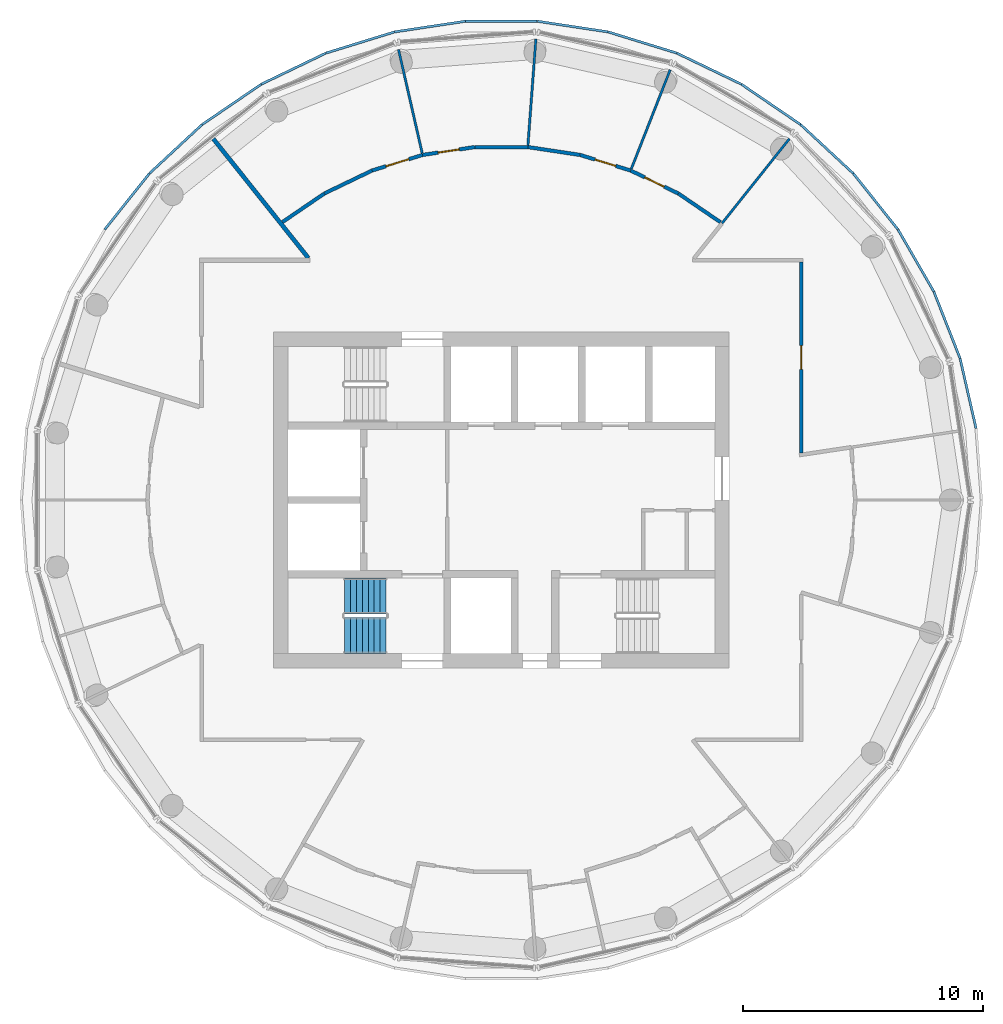
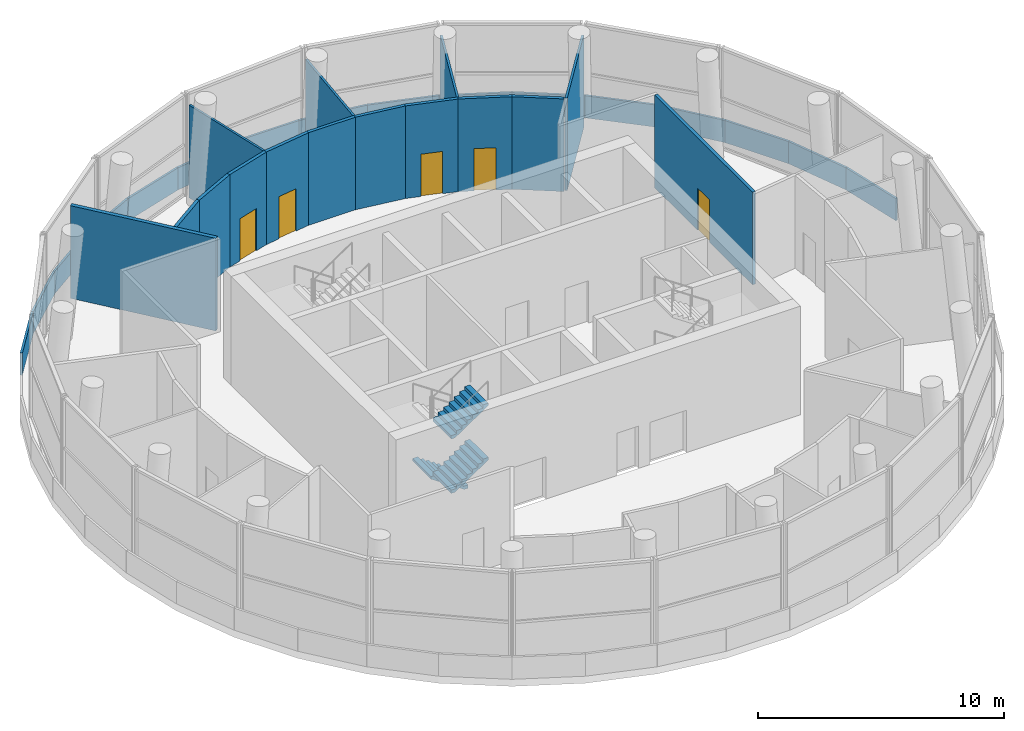
# One storey, part 7 of 11: 31 walls, 5 doors, 3 stair flights, 5 openings, 1 element without a shape of its own.
"""IFC4 building model written with IfcOpenShell, lengths in metres."""

from ifc_helpers import new_model, si_unit, direction, frame, frame_2d, origin, place, context, subcontext, project, spatial, polyline, rectangle, outline, extrude, material, layer, layer_set, type_object, element, fill, aggregate, save


model = new_model("IFC4")

# Units and contexts
model_context = context("Model", 3, precision=1e-05, world=origin(), true_north=direction((0.0, 1.0)))
body_context = subcontext(model_context, "Body", "Model", "MODEL_VIEW")
ifc_project = project(units=[si_unit("LENGTHUNIT", "METRE"), si_unit("AREAUNIT", "SQUARE_METRE"), si_unit("VOLUMEUNIT", "CUBIC_METRE"), si_unit("PLANEANGLEUNIT", "RADIAN"), si_unit("MASSUNIT", "GRAM", prefix="KILO")], contexts=[model_context])

# Site, building, storey
site_placement = place(None, origin())
site = spatial("IfcSite", under=ifc_project, at=site_placement, CompositionType="ELEMENT")
building_placement = place(site_placement, origin())
building = spatial("IfcBuilding", under=site, at=building_placement, Name="Tracery Tower", CompositionType="ELEMENT")
storey_placement = place(building_placement, frame((0.0, 0.0, 330.60009765625)))
storey = spatial("IfcBuildingStorey", under=building, at=storey_placement, Name="L86", CompositionType="ELEMENT", Elevation=330.60009765625)

# Walls
ifc_material_1 = material(Name="Plasterboard on steel studs", Category="steel")
ifc_layer_1 = layer(ifc_material_1, 0.175048828125)
ifc_layer_set_1 = layer_set([ifc_layer_1], Name="Compartment partition 175")
wall_type_1 = type_object("IfcWallType", Name="Compartment partition 175", PredefinedType="PARTITIONING", material=ifc_layer_set_1)
wall_1_placement = place(storey_placement, frame((-12.015380859375, 15.06689453125, 0.0), z_axis=(0.0, 0.0, 1.0), x_axis=(0.623483540054, -0.78183647605, 0.0)))
element("IfcWall", 1, at=wall_1_placement, inside=storey, type_object=wall_type_1, Name="Compartment partition 175", PredefinedType="PARTITIONING", context=body_context, shape_type="SweptSolid", body=[
    extrude(rectangle(XDim=6.368896484375, YDim=0.175048828125, at=frame_2d((3.1845703125, 0.0))), origin(), (0.0, 0.0, 1.0), 4.599853515625),
])
ifc_material_2 = material(Name="Plasterboard on steel studs", Category="steel")
ifc_layer_2 = layer(ifc_material_2, 0.14990234375)
ifc_layer_set_2 = layer_set([ifc_layer_2], Name="Corridor partition 150")
wall_type_2 = type_object("IfcWallType", Name="Corridor partition 150", PredefinedType="PARTITIONING", material=ifc_layer_set_2)
wall_2_placement = place(storey_placement, frame((-7.37939453125, 12.781494140625, 0.0), z_axis=(0.0, 0.0, 1.0), x_axis=(-0.826234667901, -0.563326081021, 0.0)))
element("IfcWall", 2, at=wall_2_placement, inside=storey, type_object=wall_type_2, Name="Corridor partition 150", PredefinedType="PARTITIONING", context=body_context, shape_type="SweptSolid", body=[
    extrude(rectangle(XDim=2.115478515625, YDim=0.14990234375, at=frame_2d((1.0576171875, 0.0))), origin(), (0.0, 0.0, 1.0), 4.599853515625),
])
wall_3_placement = place(storey_placement, frame((-5.39208984375, 13.738525390625, 0.0), z_axis=(0.0, 0.0, 1.0), x_axis=(-0.900969620642, -0.433882176034, 0.0)))
element("IfcWall", 3, at=wall_3_placement, inside=storey, type_object=wall_type_2, Name="Corridor partition 150", PredefinedType="PARTITIONING", context=body_context, shape_type="SweptSolid", body=[
    extrude(rectangle(XDim=2.205810546875, YDim=0.14990234375, at=frame_2d((1.10302734375, 0.0))), origin(), (0.0, 0.0, 1.0), 4.599853515625),
])

# Wall, opening, door
wall_4_placement = place(storey_placement, frame((-5.39208984375, 13.738525390625, 0.0), z_axis=(0.0, 0.0, 1.0), x_axis=(0.955580171442, 0.294731294481, 0.0)))
wall_4 = element("IfcWall", 4, at=wall_4_placement, inside=storey, type_object=wall_type_2, Name="Corridor partition 150", PredefinedType="PARTITIONING", context=body_context, shape_type="SweptSolid", body=[
    extrude(rectangle(XDim=2.205810546875, YDim=0.14990234375, at=frame_2d((1.10302734375, 0.0))), origin(), (0.0, 0.0, 1.0), 4.599853515625),
])
opening_1_placement = place(wall_4_placement, frame((0.60302734375, 0.0, 0.0)))
opening_1 = element("IfcOpeningElement", 5, at=opening_1_placement, cuts=wall_4, Name="Opening SB-L86-05", PredefinedType="OPENING", context=body_context, shape_type="SweptSolid", body=[
    extrude(rectangle(XDim=1.0, YDim=2.10009765625, at=frame_2d((0.5, 1.050048828125))), frame((0.0, 0.074951171875, 0.0), z_axis=(0.0, -1.0, 0.0), x_axis=(1.0, 0.0, 0.0)), (0.0, 0.0, 1.0), 0.14990234375),
])
ifc_material_3 = material(Name="Timber door leaf", Category="wood")
door_type_1 = type_object("IfcDoorType", Name="Public room door 1000", OperationType="NOTDEFINED", PredefinedType="DOOR", material=ifc_material_3)
door_1_placement = place(opening_1_placement, origin())
door_1 = element("IfcDoor", 6, at=door_1_placement, inside=storey, type_object=door_type_1, Name="Public room door 1000", OperationType="SINGLE_SWING_RIGHT", OverallHeight=2.10009765625, OverallWidth=1.0, PredefinedType="DOOR", context=body_context, shape_type="SweptSolid", body=[
    extrude(rectangle(XDim=1.0, YDim=2.10009765625, at=frame_2d((0.5, 1.050048828125))), frame((0.0, 0.02490234375, 0.0), z_axis=(0.0, -1.0, 0.0), x_axis=(1.0, 0.0, 0.0)), (0.0, 0.0, 1.0), 0.050048828125),
])
fill(opening_1, door_1)

wall_5_placement = place(storey_placement, frame((-3.2841796875, 14.388671875, 0.0), z_axis=(0.0, 0.0, 1.0), x_axis=(0.988826496462, 0.14907098945, 0.0)))
wall_5 = element("IfcWall", 7, at=wall_5_placement, inside=storey, type_object=wall_type_2, Name="Corridor partition 150", PredefinedType="PARTITIONING", context=body_context, shape_type="SweptSolid", body=[
    extrude(rectangle(XDim=2.2060546875, YDim=0.14990234375, at=frame_2d((1.10302734375, 0.0))), origin(), (0.0, 0.0, 1.0), 4.599853515625),
])
opening_2_placement = place(wall_5_placement, frame((0.65283203125, 0.0, 0.0)))
opening_2 = element("IfcOpeningElement", 8, at=opening_2_placement, cuts=wall_5, Name="Opening SB-L86-04", PredefinedType="OPENING", context=body_context, shape_type="SweptSolid", body=[
    extrude(rectangle(XDim=0.89990234375, YDim=2.10009765625, at=frame_2d((0.449951171875, 1.050048828125))), frame((0.0, 0.074951171875, 0.0), z_axis=(0.0, -1.0, 0.0), x_axis=(1.0, 0.0, 0.0)), (0.0, 0.0, 1.0), 0.14990234375),
])
ifc_material_4 = material(Name="Timber door leaf", Category="wood")
door_type_2 = type_object("IfcDoorType", Name="Room door 900", OperationType="NOTDEFINED", PredefinedType="DOOR", material=ifc_material_4)
door_2_placement = place(opening_2_placement, origin())
door_2 = element("IfcDoor", 9, at=door_2_placement, inside=storey, type_object=door_type_2, Name="Room door 900", OperationType="SINGLE_SWING_RIGHT", OverallHeight=2.10009765625, OverallWidth=0.89990234375, PredefinedType="DOOR", context=body_context, shape_type="SweptSolid", body=[
    extrude(rectangle(XDim=0.89990234375, YDim=2.10009765625, at=frame_2d((0.449951171875, 1.050048828125))), frame((0.0, 0.02490234375, 0.0), z_axis=(0.0, -1.0, 0.0), x_axis=(1.0, 0.0, 0.0)), (0.0, 0.0, 1.0), 0.050048828125),
])
fill(opening_2, door_2)

# Walls
wall_6_placement = place(storey_placement, frame((1.102783203125, 14.717529296875, 0.0), z_axis=(0.0, 0.0, 1.0), x_axis=(-1.0, 0.0, 0.0)))
element("IfcWall", 10, at=wall_6_placement, inside=storey, type_object=wall_type_2, Name="Corridor partition 150", PredefinedType="PARTITIONING", context=body_context, shape_type="SweptSolid", body=[
    extrude(rectangle(XDim=2.20556640625, YDim=0.14990234375, at=frame_2d((1.102783203125, 0.0))), origin(), (0.0, 0.0, 1.0), 4.599853515625),
])
wall_7_placement = place(storey_placement, frame((3.2841796875, 14.388671875, 0.0), z_axis=(0.0, 0.0, 1.0), x_axis=(-0.988826496462, 0.14907098945, 0.0)))
element("IfcWall", 11, at=wall_7_placement, inside=storey, type_object=wall_type_2, Name="Corridor partition 150", PredefinedType="PARTITIONING", context=body_context, shape_type="SweptSolid", body=[
    extrude(rectangle(XDim=2.2060546875, YDim=0.14990234375, at=frame_2d((1.10302734375, 0.0))), origin(), (0.0, 0.0, 1.0), 4.599853515625),
])

# Wall, opening, door
wall_8_placement = place(storey_placement, frame((3.2841796875, 14.388671875, 0.0), z_axis=(0.0, 0.0, 1.0), x_axis=(0.955580171442, -0.294731294481, 0.0)))
wall_8 = element("IfcWall", 12, at=wall_8_placement, inside=storey, type_object=wall_type_2, Name="Corridor partition 150", PredefinedType="PARTITIONING", context=body_context, shape_type="SweptSolid", body=[
    extrude(rectangle(XDim=2.205810546875, YDim=0.14990234375, at=frame_2d((1.10302734375, 0.0))), origin(), (0.0, 0.0, 1.0), 4.599853515625),
])
opening_3_placement = place(wall_8_placement, frame((0.653076171875, 0.0, 0.0)))
opening_3 = element("IfcOpeningElement", 13, at=opening_3_placement, cuts=wall_8, Name="Opening SB-L86-03", PredefinedType="OPENING", context=body_context, shape_type="SweptSolid", body=[
    extrude(rectangle(XDim=0.89990234375, YDim=2.10009765625, at=frame_2d((0.449951171875, 1.050048828125))), frame((0.0, 0.074951171875, 0.0), z_axis=(0.0, -1.0, 0.0), x_axis=(1.0, 0.0, 0.0)), (0.0, 0.0, 1.0), 0.14990234375),
])
door_3_placement = place(opening_3_placement, origin())
door_3 = element("IfcDoor", 14, at=door_3_placement, inside=storey, type_object=door_type_2, Name="Room door 900", OperationType="SINGLE_SWING_RIGHT", OverallHeight=2.10009765625, OverallWidth=0.89990234375, PredefinedType="DOOR", context=body_context, shape_type="SweptSolid", body=[
    extrude(rectangle(XDim=0.89990234375, YDim=2.10009765625, at=frame_2d((0.449951171875, 1.050048828125))), frame((0.0, 0.02490234375, 0.0), z_axis=(0.0, -1.0, 0.0), x_axis=(1.0, 0.0, 0.0)), (0.0, 0.0, 1.0), 0.050048828125),
])
fill(opening_3, door_3)

wall_9_placement = place(storey_placement, frame((5.39208984375, 13.738525390625, 0.0), z_axis=(0.0, 0.0, 1.0), x_axis=(0.900969620642, -0.433882176034, 0.0)))
wall_9 = element("IfcWall", 15, at=wall_9_placement, inside=storey, type_object=wall_type_2, Name="Corridor partition 150", PredefinedType="PARTITIONING", context=body_context, shape_type="SweptSolid", body=[
    extrude(rectangle(XDim=2.205810546875, YDim=0.14990234375, at=frame_2d((1.10302734375, 0.0))), origin(), (0.0, 0.0, 1.0), 4.599853515625),
])
opening_4_placement = place(wall_9_placement, frame((0.65283203125, 0.0, 0.0)))
opening_4 = element("IfcOpeningElement", 16, at=opening_4_placement, cuts=wall_9, Name="Opening SB-L86-02", PredefinedType="OPENING", context=body_context, shape_type="SweptSolid", body=[
    extrude(rectangle(XDim=0.89990234375, YDim=2.10009765625, at=frame_2d((0.449951171875, 1.050048828125))), frame((0.0, 0.074951171875, 0.0), z_axis=(0.0, -1.0, 0.0), x_axis=(1.0, 0.0, 0.0)), (0.0, 0.0, 1.0), 0.14990234375),
])
door_4_placement = place(opening_4_placement, origin())
door_4 = element("IfcDoor", 17, at=door_4_placement, inside=storey, type_object=door_type_2, Name="Room door 900", OperationType="SINGLE_SWING_RIGHT", OverallHeight=2.10009765625, OverallWidth=0.89990234375, PredefinedType="DOOR", context=body_context, shape_type="SweptSolid", body=[
    extrude(rectangle(XDim=0.89990234375, YDim=2.10009765625, at=frame_2d((0.449951171875, 1.050048828125))), frame((0.0, 0.02490234375, 0.0), z_axis=(0.0, -1.0, 0.0), x_axis=(1.0, 0.0, 0.0)), (0.0, 0.0, 1.0), 0.050048828125),
])
fill(opening_4, door_4)

# Wall
wall_10_placement = place(storey_placement, frame((9.139892578125, 11.581298828125, 0.0), z_axis=(0.0, 0.0, 1.0), x_axis=(-0.826258855912, 0.563290602644, 0.0)))
element("IfcWall", 18, at=wall_10_placement, inside=storey, type_object=wall_type_2, Name="Corridor partition 150", PredefinedType="PARTITIONING", context=body_context, shape_type="SweptSolid", body=[
    extrude(rectangle(XDim=2.130615234375, YDim=0.14990234375, at=frame_2d((1.0654296875, 0.0))), origin(), (0.0, 0.0, 1.0), 4.599853515625),
])

# Wall, opening, door
wall_11_placement = place(storey_placement, frame((12.5, 9.925048828125, 0.0), z_axis=(0.0, 0.0, 1.0), x_axis=(0.0, -1.0, 0.0)))
wall_11 = element("IfcWall", 19, at=wall_11_placement, inside=storey, type_object=wall_type_2, Name="Corridor partition 150", PredefinedType="PARTITIONING", context=body_context, shape_type="SweptSolid", body=[
    extrude(rectangle(XDim=7.966064453125, YDim=0.14990234375, at=frame_2d((3.98291015625, 0.0))), origin(), (0.0, 0.0, 1.0), 4.599853515625),
])
opening_5_placement = place(wall_11_placement, frame((3.48291015625, 0.0, 0.0)))
opening_5 = element("IfcOpeningElement", 20, at=opening_5_placement, cuts=wall_11, Name="Opening SB-L86-01", PredefinedType="OPENING", context=body_context, shape_type="SweptSolid", body=[
    extrude(rectangle(XDim=1.0, YDim=2.10009765625, at=frame_2d((0.5, 1.050048828125))), frame((0.0, 0.074951171875, 0.0), z_axis=(0.0, -1.0, 0.0), x_axis=(1.0, 0.0, 0.0)), (0.0, 0.0, 1.0), 0.14990234375),
])
door_5_placement = place(opening_5_placement, origin())
door_5 = element("IfcDoor", 21, at=door_5_placement, inside=storey, type_object=door_type_1, Name="Public room door 1000", OperationType="SINGLE_SWING_RIGHT", OverallHeight=2.10009765625, OverallWidth=1.0, PredefinedType="DOOR", context=body_context, shape_type="SweptSolid", body=[
    extrude(rectangle(XDim=1.0, YDim=2.10009765625, at=frame_2d((0.5, 1.050048828125))), frame((0.0, 0.02490234375, 0.0), z_axis=(0.0, -1.0, 0.0), x_axis=(1.0, 0.0, 0.0)), (0.0, 0.0, 1.0), 0.050048828125),
])
fill(opening_5, door_5)

# Walls
ifc_material_5 = material(Name="Tinted laminated glass", Category="glass")
ifc_layer_3 = layer(ifc_material_5, 0.10009765625)
ifc_layer_set_3 = layer_set([ifc_layer_3], Name="Crown ledge glass parapet 100")
wall_type_3 = type_object("IfcWallType", Name="Crown ledge glass parapet 100", PredefinedType="PARAPET", material=ifc_layer_set_3)
wall_12_placement = place(storey_placement, frame((19.79736328125, 2.98876953125, 0.0), z_axis=(0.0, 0.0, 1.0), x_axis=(-0.22253367096, 0.974925004956, 0.0)))
element("IfcWall", 22, at=wall_12_placement, inside=storey, type_object=wall_type_3, Name="Crown ledge glass parapet L86 2", PredefinedType="PARAPET", context=body_context, shape_type="SweptSolid", body=[
    extrude(rectangle(XDim=2.98291015625, YDim=0.10009765625, at=frame_2d((1.491455078125, 0.0))), origin(), (0.0, 0.0, 1.0), 1.099853515625),
])
wall_13_placement = place(storey_placement, frame((19.130859375, 5.906005859375, 0.0), z_axis=(0.0, 0.0, 1.0), x_axis=(-0.365343432016, 0.930872803708, 0.0)))
element("IfcWall", 23, at=wall_13_placement, inside=storey, type_object=wall_type_3, Name="Crown ledge glass parapet L86 3", PredefinedType="PARAPET", context=body_context, shape_type="SweptSolid", body=[
    extrude(rectangle(XDim=2.983154296875, YDim=0.10009765625, at=frame_2d((1.49169921875, 0.0))), origin(), (0.0, 0.0, 1.0), 1.099853515625),
])
wall_14_placement = place(storey_placement, frame((18.036865234375, 8.69140625, 0.0), z_axis=(0.0, 0.0, 1.0), x_axis=(-0.500003486784, 0.866023390679, 0.0)))
element("IfcWall", 24, at=wall_14_placement, inside=storey, type_object=wall_type_3, Name="Crown ledge glass parapet L86 4", PredefinedType="PARAPET", context=body_context, shape_type="SweptSolid", body=[
    extrude(rectangle(XDim=2.98291015625, YDim=0.10009765625, at=frame_2d((1.491455078125, 0.0))), origin(), (0.0, 0.0, 1.0), 1.099853515625),
])
wall_15_placement = place(storey_placement, frame((16.5400390625, 11.282470703125, 0.0), z_axis=(0.0, 0.0, 1.0), x_axis=(-0.62347663043, 0.781841986151, 0.0)))
element("IfcWall", 25, at=wall_15_placement, inside=storey, type_object=wall_type_3, Name="Crown ledge glass parapet L86 5", PredefinedType="PARAPET", context=body_context, shape_type="SweptSolid", body=[
    extrude(rectangle(XDim=2.983154296875, YDim=0.10009765625, at=frame_2d((1.49169921875, 0.0))), origin(), (0.0, 0.0, 1.0), 1.099853515625),
])
for number, where, z_axis, x_axis, name in (
    (26, (14.673583984375, 13.62158203125, 0.0), (0.0, 0.0, 1.0), (-0.733009168405, 0.68021875822, 0.0), "Crown ledge glass parapet L86 6"),
    (27, (12.4794921875, 15.656494140625, 0.0), (0.0, 0.0, 1.0), (-0.826225611244, 0.563339364259, 0.0), "Crown ledge glass parapet L86 7"),
):
    element("IfcWall", number, at=place(storey_placement, frame(where, z_axis=z_axis, x_axis=x_axis)), inside=storey, type_object=wall_type_3, Name=name, PredefinedType="PARAPET", context=body_context, shape_type="SweptSolid", body=[
        extrude(rectangle(XDim=2.98291015625, YDim=0.10009765625, at=frame_2d((1.491455078125, 0.0))), origin(), (0.0, 0.0, 1.0), 1.099853515625),
    ])
wall_16_placement = place(storey_placement, frame((10.0068359375, 17.341796875, 0.0), z_axis=(0.0, 0.0, 1.0), x_axis=(-0.900989821587, 0.433840225655, 0.0)))
element("IfcWall", 28, at=wall_16_placement, inside=storey, type_object=wall_type_3, Name="Crown ledge glass parapet L86 8", PredefinedType="PARAPET", context=body_context, shape_type="SweptSolid", body=[
    extrude(rectangle(XDim=2.983154296875, YDim=0.10009765625, at=frame_2d((1.49169921875, 0.0))), origin(), (0.0, 0.0, 1.0), 1.099853515625),
])
for number, where, z_axis, x_axis, name in (
    (29, (7.310302734375, 18.639404296875, 0.0), (0.0, 0.0, 1.0), (-0.955555758085, 0.294810436028, 0.0), "Crown ledge glass parapet L86 9"),
    (30, (4.45068359375, 19.520751953125, 0.0), (0.0, 0.0, 1.0), (-0.988831652332, 0.149036785209, 0.0), "Crown ledge glass parapet L86 10"),
    (31, (1.491455078125, 19.966064453125, 0.0), (0.0, 0.0, 1.0), (-1.0, 0.0, 0.0), "Crown ledge glass parapet L86 11"),
    (32, (-1.5009765625, 19.96533203125, 0.0), (0.0, 0.0, 1.0), (-0.988831652332, -0.149036785209, 0.0), "Crown ledge glass parapet L86 12"),
    (33, (-4.4599609375, 19.518798828125, 0.0), (0.0, 0.0, 1.0), (-0.955555758085, -0.294810436028, 0.0), "Crown ledge glass parapet L86 13"),
):
    element("IfcWall", number, at=place(storey_placement, frame(where, z_axis=z_axis, x_axis=x_axis)), inside=storey, type_object=wall_type_3, Name=name, PredefinedType="PARAPET", context=body_context, shape_type="SweptSolid", body=[
        extrude(rectangle(XDim=2.98291015625, YDim=0.10009765625, at=frame_2d((1.491455078125, 0.0))), origin(), (0.0, 0.0, 1.0), 1.099853515625),
    ])
wall_17_placement = place(storey_placement, frame((-7.319091796875, 18.635986328125, 0.0), z_axis=(0.0, 0.0, 1.0), x_axis=(-0.900989821587, -0.433840225655, 0.0)))
element("IfcWall", 34, at=wall_17_placement, inside=storey, type_object=wall_type_3, Name="Crown ledge glass parapet L86 14", PredefinedType="PARAPET", context=body_context, shape_type="SweptSolid", body=[
    extrude(rectangle(XDim=2.983154296875, YDim=0.10009765625, at=frame_2d((1.49169921875, 0.0))), origin(), (0.0, 0.0, 1.0), 1.099853515625),
])
for number, where, z_axis, x_axis, name in (
    (35, (-10.014892578125, 17.3369140625, 0.0), (0.0, 0.0, 1.0), (-0.826225611244, -0.563339364259, 0.0), "Crown ledge glass parapet L86 15"),
    (36, (-12.487060546875, 15.650634765625, 0.0), (0.0, 0.0, 1.0), (-0.733009168405, -0.68021875822, 0.0), "Crown ledge glass parapet L86 16"),
):
    element("IfcWall", number, at=place(storey_placement, frame(where, z_axis=z_axis, x_axis=x_axis)), inside=storey, type_object=wall_type_3, Name=name, PredefinedType="PARAPET", context=body_context, shape_type="SweptSolid", body=[
        extrude(rectangle(XDim=2.98291015625, YDim=0.10009765625, at=frame_2d((1.491455078125, 0.0))), origin(), (0.0, 0.0, 1.0), 1.099853515625),
    ])
wall_18_placement = place(storey_placement, frame((-14.68017578125, 13.61474609375, 0.0), z_axis=(0.0, 0.0, 1.0), x_axis=(-0.62347663043, -0.781841986151, 0.0)))
element("IfcWall", 37, at=wall_18_placement, inside=storey, type_object=wall_type_3, Name="Crown ledge glass parapet L86 17", PredefinedType="PARAPET", context=body_context, shape_type="SweptSolid", body=[
    extrude(rectangle(XDim=2.983154296875, YDim=0.10009765625, at=frame_2d((1.49169921875, 0.0))), origin(), (0.0, 0.0, 1.0), 1.099853515625),
])
ifc_material_6 = material(Name="Plasterboard on steel studs", Category="steel")
ifc_layer_4 = layer(ifc_material_6, 0.10009765625)
ifc_layer_set_4 = layer_set([ifc_layer_4], Name="Stud partition 100")
wall_type_4 = type_object("IfcWallType", Name="Stud partition 100", PredefinedType="PARTITIONING", material=ifc_layer_set_4)
for number, where, z_axis, x_axis, name in (
    (38, (-4.288330078125, 18.7880859375, 0.0), (0.0, 0.0, 1.0), (0.222548421308, -0.974921637966, 0.0), "Stud partition 100"),
    (39, (1.440185546875, 19.217529296875, 0.0), (0.0, 0.0, 1.0), (-0.074769431889, -0.997200848403, 0.0), "Stud partition 100"),
):
    element("IfcWall", number, at=place(storey_placement, frame(where, z_axis=z_axis, x_axis=x_axis)), inside=storey, type_object=wall_type_4, Name=name, PredefinedType="PARTITIONING", context=body_context, shape_type="SweptSolid", body=[
        extrude(rectangle(XDim=4.4375, YDim=0.10009765625, at=frame_2d((2.21875, 0.0))), origin(), (0.0, 0.0, 1.0), 4.599853515625),
    ])
wall_19_placement = place(storey_placement, frame((7.04052734375, 17.939208984375, 0.0), z_axis=(0.0, 0.0, 1.0), x_axis=(-0.365330622286, -0.930877831093, 0.0)))
element("IfcWall", 40, at=wall_19_placement, inside=storey, type_object=wall_type_4, Name="Stud partition 100", PredefinedType="PARTITIONING", context=body_context, shape_type="SweptSolid", body=[
    extrude(rectangle(XDim=4.437255859375, YDim=0.10009765625, at=frame_2d((2.21875, 0.0))), origin(), (0.0, 0.0, 1.0), 4.599853515625),
])
wall_20_placement = place(storey_placement, frame((12.015380859375, 15.06689453125, 0.0), z_axis=(0.0, 0.0, 1.0), x_axis=(-0.623480279292, -0.781839076367, 0.0)))
element("IfcWall", 41, at=wall_20_placement, inside=storey, type_object=wall_type_4, Name="Stud partition 100", PredefinedType="PARTITIONING", context=body_context, shape_type="SweptSolid", body=[
    extrude(rectangle(XDim=4.512451171875, YDim=0.10009765625, at=frame_2d((2.25634765625, 0.0))), origin(), (0.0, 0.0, 1.0), 4.599853515625),
])

# Stair, stair flights
ifc_material_7 = material(Name="Concrete C32/40", Category="concrete")
stair_type = type_object("IfcStairType", Name="Core stair 32 risers", PredefinedType="HALF_TURN_STAIR", material=ifc_material_7)
stair_placement = place(storey_placement, origin())
stair = element("IfcStair", 42, at=stair_placement, inside=storey, type_object=stair_type, Name="L86 stair ST1", PredefinedType="HALF_TURN_STAIR")
ifc_material_8 = material(Name="Concrete C32/40", Category="concrete")
stair_flight_type = type_object("IfcStairFlightType", Name="Core stair flight 8 risers", PredefinedType="STRAIGHT", material=ifc_material_8)
stair_flight_1_placement = place(storey_placement, frame((-4.800048828125, -4.0, 0.0), z_axis=(0.0, 0.0, 1.0), x_axis=(-1.0, 0.0, 0.0)))
stair_flight_1 = element("IfcStairFlight", 43, at=stair_flight_1_placement, type_object=stair_flight_type, Name="ST1 flight 1", NumberOfRisers=8, NumberOfTreads=7, PredefinedType="STRAIGHT", RiserHeight=0.16875, TreadLength=0.25, context=body_context, shape_type="SweptSolid", body=[
    extrude(outline(polyline([(0.0, 0.0), (0.0, 0.002685546875), (0.0, 0.005615234375), (0.0, 0.00830078125), (0.0, 0.010986328125), (0.0, 0.013916015625), (0.0, 0.0166015625), (0.0, 0.019287109375), (0.0, 0.022216796875), (0.0, 0.02490234375), (0.0, 0.027587890625), (0.0, 0.030517578125), (0.0, 0.033203125), (0.0, 0.035888671875), (0.0, 0.038818359375), (0.0, 0.04150390625), (0.0, 0.044189453125), (0.0, 0.047119140625), (0.0, 0.0498046875), (0.0, 0.052490234375), (0.0, 0.055419921875), (0.0, 0.05810546875), (0.0, 0.060791015625), (0.0, 0.063720703125), (0.0, 0.06640625), (0.0, 0.069091796875), (0.0, 0.072021484375), (0.0, 0.07470703125), (0.0, 0.077392578125), (0.0, 0.080322265625), (0.0, 0.0830078125), (0.0, 0.085693359375), (0.0, 0.088623046875), (0.0, 0.09130859375), (0.0, 0.093994140625), (0.0, 0.096923828125), (0.0, 0.099609375), (0.0, 0.102294921875), (0.0, 0.105224609375), (0.0, 0.10791015625), (0.0, 0.110595703125), (0.0, 0.113525390625), (0.0, 0.1162109375), (0.0, 0.118896484375), (0.0, 0.121826171875), (0.0, 0.12451171875), (0.0, 0.127197265625), (0.0, 0.130126953125), (0.0, 0.1328125), (0.0, 0.135498046875), (0.0, 0.138427734375), (0.0, 0.14111328125), (0.0, 0.143798828125), (0.0, 0.146728515625), (0.0, 0.1494140625), (0.0, 0.152099609375), (0.0, 0.155029296875), (0.0, 0.15771484375), (0.0, 0.160400390625), (0.0, 0.163330078125), (0.0, 0.166015625), (0.0, 0.168701171875), (0.25, 0.168701171875), (0.25, 0.33740234375), (0.5, 0.33740234375), (0.5, 0.50634765625), (0.75, 0.50634765625), (0.75, 0.675048828125), (1.0, 0.675048828125), (1.0, 0.84375), (1.25, 0.84375), (1.25, 1.012451171875), (1.5, 1.012451171875), (1.5, 1.18115234375), (1.75, 1.18115234375), (1.75, 1.17919921875), (1.75, 1.17724609375), (1.75, 1.17529296875), (1.75, 1.17333984375), (1.75, 1.17138671875), (1.75, 1.16943359375), (1.75, 1.16748046875), (1.75, 1.16552734375), (1.75, 1.163330078125), (1.75, 1.161376953125), (1.75, 1.159423828125), (1.75, 1.157470703125), (1.75, 1.155517578125), (1.75, 1.153564453125), (1.75, 1.151611328125), (1.75, 1.149658203125), (1.75, 1.147705078125), (1.75, 1.1455078125), (1.75, 1.1435546875), (1.75, 1.1416015625), (1.75, 1.1396484375), (1.75, 1.1376953125), (1.75, 1.1357421875), (1.75, 1.1337890625), (1.75, 1.1318359375), (1.75, 1.1298828125), (1.75, 1.127685546875), (1.75, 1.125732421875), (1.75, 1.123779296875), (1.75, 1.121826171875), (1.75, 1.119873046875), (1.75, 1.117919921875), (1.75, 1.115966796875), (1.75, 1.114013671875), (1.75, 1.112060546875), (1.75, 1.10986328125), (1.75, 1.10791015625), (1.75, 1.10595703125), (1.75, 1.10400390625), (1.75, 1.10205078125), (1.75, 1.10009765625), (1.75, 1.09814453125), (1.75, 1.09619140625), (1.75, 1.09423828125), (1.75, 1.092041015625), (1.75, 1.090087890625), (1.75, 1.088134765625), (1.75, 1.086181640625), (1.75, 1.084228515625), (1.75, 1.082275390625), (1.75, 1.080322265625), (1.75, 1.078369140625), (1.75, 1.076416015625), (1.75, 1.074462890625), (1.75, 1.072265625), (1.75, 1.0703125), (1.75, 1.068359375), (1.75, 1.06640625), (1.75, 1.064453125), (1.75, 1.0625), (1.75, 1.060546875), (0.178955078125, 0.0), (0.0, 0.0)])), frame((0.0, 0.75, 0.0), z_axis=(0.0, -1.0, 0.0), x_axis=(1.0, 0.0, 0.0)), (0.0, 0.0, 1.0), 1.5),
])
stair_flight_2_placement = place(storey_placement, frame((-6.550048828125, -5.64990234375, 1.349853515625), z_axis=(0.0, 0.0, 1.0), x_axis=(1.0, 0.0, 0.0)))
stair_flight_2 = element("IfcStairFlight", 44, at=stair_flight_2_placement, type_object=stair_flight_type, Name="ST1 flight 2", NumberOfRisers=8, NumberOfTreads=7, PredefinedType="STRAIGHT", RiserHeight=0.16875, TreadLength=0.25, context=body_context, shape_type="SweptSolid", body=[
    extrude(outline(polyline([(0.0, 0.0), (0.0, 0.002685546875), (0.0, 0.005615234375), (0.0, 0.00830078125), (0.0, 0.010986328125), (0.0, 0.013916015625), (0.0, 0.0166015625), (0.0, 0.019287109375), (0.0, 0.022216796875), (0.0, 0.02490234375), (0.0, 0.027587890625), (0.0, 0.030517578125), (0.0, 0.033203125), (0.0, 0.035888671875), (0.0, 0.038818359375), (0.0, 0.04150390625), (0.0, 0.044189453125), (0.0, 0.047119140625), (0.0, 0.0498046875), (0.0, 0.052490234375), (0.0, 0.055419921875), (0.0, 0.05810546875), (0.0, 0.060791015625), (0.0, 0.063720703125), (0.0, 0.06640625), (0.0, 0.069091796875), (0.0, 0.072021484375), (0.0, 0.07470703125), (0.0, 0.077392578125), (0.0, 0.080322265625), (0.0, 0.0830078125), (0.0, 0.085693359375), (0.0, 0.088623046875), (0.0, 0.09130859375), (0.0, 0.093994140625), (0.0, 0.096923828125), (0.0, 0.099609375), (0.0, 0.102294921875), (0.0, 0.105224609375), (0.0, 0.10791015625), (0.0, 0.110595703125), (0.0, 0.113525390625), (0.0, 0.1162109375), (0.0, 0.118896484375), (0.0, 0.121826171875), (0.0, 0.12451171875), (0.0, 0.127197265625), (0.0, 0.130126953125), (0.0, 0.1328125), (0.0, 0.135498046875), (0.0, 0.138427734375), (0.0, 0.14111328125), (0.0, 0.143798828125), (0.0, 0.146728515625), (0.0, 0.1494140625), (0.0, 0.152099609375), (0.0, 0.155029296875), (0.0, 0.15771484375), (0.0, 0.160400390625), (0.0, 0.163330078125), (0.0, 0.166015625), (0.0, 0.168701171875), (0.25, 0.168701171875), (0.25, 0.33740234375), (0.5, 0.33740234375), (0.5, 0.50634765625), (0.75, 0.50634765625), (0.75, 0.675048828125), (1.0, 0.675048828125), (1.0, 0.84375), (1.25, 0.84375), (1.25, 1.012451171875), (1.5, 1.012451171875), (1.5, 1.18115234375), (1.75, 1.18115234375), (1.75, 1.17919921875), (1.75, 1.17724609375), (1.75, 1.17529296875), (1.75, 1.17333984375), (1.75, 1.17138671875), (1.75, 1.16943359375), (1.75, 1.16748046875), (1.75, 1.16552734375), (1.75, 1.163330078125), (1.75, 1.161376953125), (1.75, 1.159423828125), (1.75, 1.157470703125), (1.75, 1.155517578125), (1.75, 1.153564453125), (1.75, 1.151611328125), (1.75, 1.149658203125), (1.75, 1.147705078125), (1.75, 1.1455078125), (1.75, 1.1435546875), (1.75, 1.1416015625), (1.75, 1.1396484375), (1.75, 1.1376953125), (1.75, 1.1357421875), (1.75, 1.1337890625), (1.75, 1.1318359375), (1.75, 1.1298828125), (1.75, 1.127685546875), (1.75, 1.125732421875), (1.75, 1.123779296875), (1.75, 1.121826171875), (1.75, 1.119873046875), (1.75, 1.117919921875), (1.75, 1.115966796875), (1.75, 1.114013671875), (1.75, 1.112060546875), (1.75, 1.10986328125), (1.75, 1.10791015625), (1.75, 1.10595703125), (1.75, 1.10400390625), (1.75, 1.10205078125), (1.75, 1.10009765625), (1.75, 1.09814453125), (1.75, 1.09619140625), (1.75, 1.09423828125), (1.75, 1.092041015625), (1.75, 1.090087890625), (1.75, 1.088134765625), (1.75, 1.086181640625), (1.75, 1.084228515625), (1.75, 1.082275390625), (1.75, 1.080322265625), (1.75, 1.078369140625), (1.75, 1.076416015625), (1.75, 1.074462890625), (1.75, 1.072265625), (1.75, 1.0703125), (1.75, 1.068359375), (1.75, 1.06640625), (1.75, 1.064453125), (1.75, 1.0625), (1.75, 1.060546875), (0.178955078125, 0.0), (0.0, 0.0)])), frame((0.0, 0.75, 0.0), z_axis=(0.0, -1.0, 0.0), x_axis=(1.0, 0.0, 0.0)), (0.0, 0.0, 1.0), 1.5),
])
stair_flight_3_placement = place(storey_placement, frame((-6.550048828125, -5.64990234375, 4.0498046875), z_axis=(0.0, 0.0, 1.0), x_axis=(1.0, 0.0, 0.0)))
stair_flight_3 = element("IfcStairFlight", 45, at=stair_flight_3_placement, type_object=stair_flight_type, Name="ST1 flight 4", NumberOfRisers=8, NumberOfTreads=7, PredefinedType="STRAIGHT", RiserHeight=0.16875, TreadLength=0.25, context=body_context, shape_type="SweptSolid", body=[
    extrude(outline(polyline([(0.0, 0.0), (0.0, 0.002685546875), (0.0, 0.005615234375), (0.0, 0.00830078125), (0.0, 0.010986328125), (0.0, 0.013916015625), (0.0, 0.0166015625), (0.0, 0.019287109375), (0.0, 0.022216796875), (0.0, 0.02490234375), (0.0, 0.027587890625), (0.0, 0.030517578125), (0.0, 0.033203125), (0.0, 0.035888671875), (0.0, 0.038818359375), (0.0, 0.04150390625), (0.0, 0.044189453125), (0.0, 0.047119140625), (0.0, 0.0498046875), (0.0, 0.052490234375), (0.0, 0.055419921875), (0.0, 0.05810546875), (0.0, 0.060791015625), (0.0, 0.063720703125), (0.0, 0.06640625), (0.0, 0.069091796875), (0.0, 0.072021484375), (0.0, 0.07470703125), (0.0, 0.077392578125), (0.0, 0.080322265625), (0.0, 0.0830078125), (0.0, 0.085693359375), (0.0, 0.088623046875), (0.0, 0.09130859375), (0.0, 0.093994140625), (0.0, 0.096923828125), (0.0, 0.099609375), (0.0, 0.102294921875), (0.0, 0.105224609375), (0.0, 0.10791015625), (0.0, 0.110595703125), (0.0, 0.113525390625), (0.0, 0.1162109375), (0.0, 0.118896484375), (0.0, 0.121826171875), (0.0, 0.12451171875), (0.0, 0.127197265625), (0.0, 0.130126953125), (0.0, 0.1328125), (0.0, 0.135498046875), (0.0, 0.138427734375), (0.0, 0.14111328125), (0.0, 0.143798828125), (0.0, 0.146728515625), (0.0, 0.1494140625), (0.0, 0.152099609375), (0.0, 0.155029296875), (0.0, 0.15771484375), (0.0, 0.160400390625), (0.0, 0.163330078125), (0.0, 0.166015625), (0.0, 0.168701171875), (0.25, 0.168701171875), (0.25, 0.33740234375), (0.5, 0.33740234375), (0.5, 0.50634765625), (0.75, 0.50634765625), (0.75, 0.675048828125), (1.0, 0.675048828125), (1.0, 0.84375), (1.25, 0.84375), (1.25, 1.012451171875), (1.5, 1.012451171875), (1.5, 1.18115234375), (1.75, 1.18115234375), (1.75, 1.17919921875), (1.75, 1.17724609375), (1.75, 1.17529296875), (1.75, 1.17333984375), (1.75, 1.17138671875), (1.75, 1.16943359375), (1.75, 1.16748046875), (1.75, 1.16552734375), (1.75, 1.163330078125), (1.75, 1.161376953125), (1.75, 1.159423828125), (1.75, 1.157470703125), (1.75, 1.155517578125), (1.75, 1.153564453125), (1.75, 1.151611328125), (1.75, 1.149658203125), (1.75, 1.147705078125), (1.75, 1.1455078125), (1.75, 1.1435546875), (1.75, 1.1416015625), (1.75, 1.1396484375), (1.75, 1.1376953125), (1.75, 1.1357421875), (1.75, 1.1337890625), (1.75, 1.1318359375), (1.75, 1.1298828125), (1.75, 1.127685546875), (1.75, 1.125732421875), (1.75, 1.123779296875), (1.75, 1.121826171875), (1.75, 1.119873046875), (1.75, 1.117919921875), (1.75, 1.115966796875), (1.75, 1.114013671875), (1.75, 1.112060546875), (1.75, 1.10986328125), (1.75, 1.10791015625), (1.75, 1.10595703125), (1.75, 1.10400390625), (1.75, 1.10205078125), (1.75, 1.10009765625), (1.75, 1.09814453125), (1.75, 1.09619140625), (1.75, 1.09423828125), (1.75, 1.092041015625), (1.75, 1.090087890625), (1.75, 1.088134765625), (1.75, 1.086181640625), (1.75, 1.084228515625), (1.75, 1.082275390625), (1.75, 1.080322265625), (1.75, 1.078369140625), (1.75, 1.076416015625), (1.75, 1.074462890625), (1.75, 1.072265625), (1.75, 1.0703125), (1.75, 1.068359375), (1.75, 1.06640625), (1.75, 1.064453125), (1.75, 1.0625), (1.75, 1.060546875), (0.178955078125, 0.0), (0.0, 0.0)])), frame((0.0, 0.75, 0.0), z_axis=(0.0, -1.0, 0.0), x_axis=(1.0, 0.0, 0.0)), (0.0, 0.0, 1.0), 1.5),
])
aggregate(stair, [stair_flight_1, stair_flight_2, stair_flight_3])

save(model, "model.ifc")
